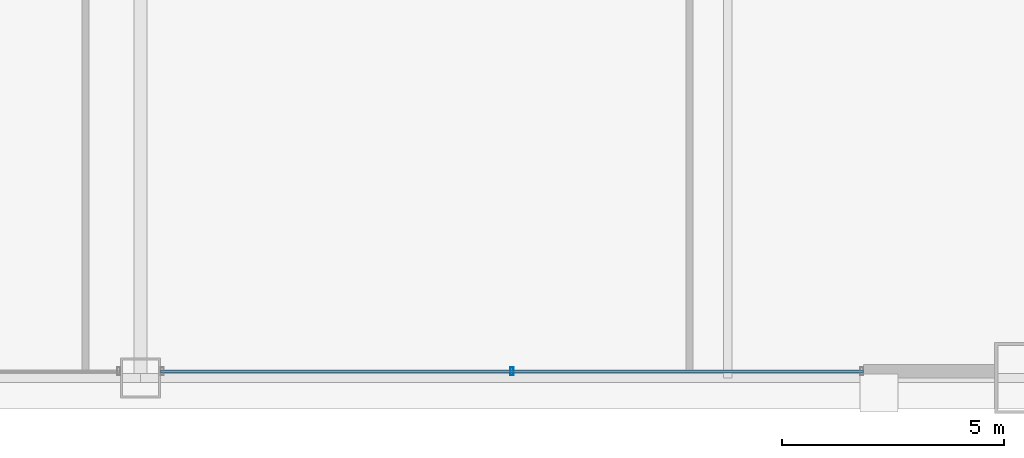
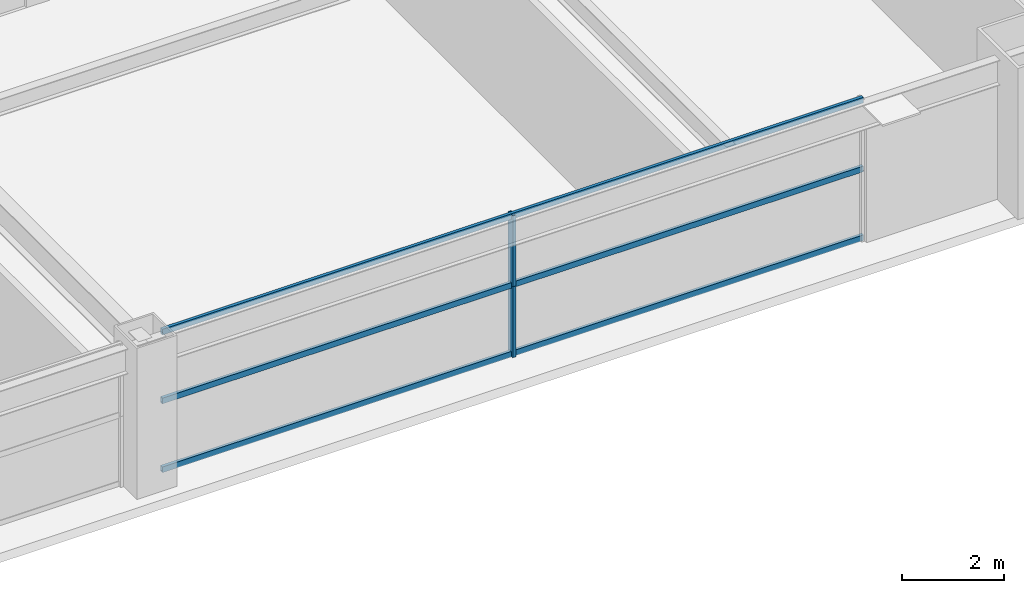
# One storey, part 13 of 38: 5 members, 1 element without a shape of its own.
"""IFC4 building model written with IfcOpenShell, lengths in metres."""

from ifc_helpers import new_model, si_unit, direction, frame, origin, origin_2d, place, context, subcontext, project, spatial, hollow_rectangle, extrude, source, transform, mapped, material, layer, layer_set, material_profile, profile_set, type_object, element, aggregate, save


model = new_model("IFC4")

# Units and contexts
model_context = context("Model", 3, precision=1e-05, world=origin(), true_north=direction((0.0, 1.0)))
body_context = subcontext(model_context, "Body", "Model", "MODEL_VIEW")
ifc_project = project(units=[si_unit("LENGTHUNIT", "METRE"), si_unit("AREAUNIT", "SQUARE_METRE"), si_unit("VOLUMEUNIT", "CUBIC_METRE"), si_unit("PLANEANGLEUNIT", "RADIAN"), si_unit("MASSUNIT", "GRAM", prefix="KILO"), si_unit("THERMODYNAMICTEMPERATUREUNIT", "KELVIN"), si_unit("POWERUNIT", "WATT")], contexts=[model_context])

# Site, building, storey
site_placement = place(None, origin())
site = spatial("IfcSite", under=ifc_project, at=site_placement, CompositionType="ELEMENT")
building_placement = place(site_placement, origin())
building = spatial("IfcBuilding", under=site, at=building_placement, Name="Yuzanri Waterfront Tower", CompositionType="ELEMENT")
storey_placement = place(building_placement, frame((0.0, 0.0, 111.800048828125)))
storey = spatial("IfcBuildingStorey", under=building, at=storey_placement, Name="L29", CompositionType="ELEMENT", Elevation=111.800048828125)

# Curtain wall, members
ifc_material_1 = material(Name="Anodized Architectural Bronze", Category="metal")
ifc_layer = layer(ifc_material_1, 0.159912109375)
ifc_layer_set = layer_set([ifc_layer], Name="Anodized Architectural Bronze")
curtain_wall_type = type_object("IfcCurtainWallType", Name="Anodized Bronze Hotel Upper-Tier Solar-Control Unitized Curtain Wall 7800", PredefinedType="NOTDEFINED", material=ifc_layer_set)
curtain_wall_placement = place(storey_placement, origin())
curtain_wall = element("IfcCurtainWall", 1, at=curtain_wall_placement, inside=storey, type_object=curtain_wall_type, Name="L29 Curtain Wall CW-L29-SR", PredefinedType="NOTDEFINED")
ifc_material_2 = material(Name="Anodized Architectural Bronze", Category="metal")
ifc_material_profile_1 = material_profile(ifc_material_2, hollow_rectangle(XDim=0.070068359375, YDim=0.179931640625, WallThickness=0.00390625, at=origin_2d()), Name="CWM 70x180")
ifc_profile_set_1 = profile_set([ifc_material_profile_1], Name="Anodized Architectural Bronze")
member_type_1 = type_object("IfcMemberType", Name="Anodized Bronze Standard Curtain-Wall Mullion 70x180", PredefinedType="MULLION", material=ifc_profile_set_1)
shared_shape_1 = source(origin(), body_context, "Body", "SweptSolid", [
    extrude(hollow_rectangle(XDim=0.070068359375, YDim=0.179931640625, WallThickness=0.00390625, at=origin_2d()), origin(), (0.0, 0.0, 1.0), 1.68798828125),
])
member_1_placement = place(storey_placement, frame((45.35009765625, 2.35009765625, 0.0), z_axis=(0.0, 0.0, 1.0), x_axis=(1.0, 0.0, 0.0)))
member_1 = element("IfcMember", 2, at=member_1_placement, type_object=member_type_1, Name="CW-L29-SR Lower Mullion 01", PredefinedType="MULLION", context=body_context, shape_type="MappedRepresentation", body=[
    mapped(shared_shape_1, transform((0.0, 0.0, 0.0), scale=1.0)),
])
member_2_placement = place(storey_placement, frame((45.35009765625, 2.35009765625, 1.69189453125), z_axis=(0.0, 0.0, 1.0), x_axis=(1.0, 0.0, 0.0)))
member_2 = element("IfcMember", 3, at=member_2_placement, type_object=member_type_1, Name="CW-L29-SR Upper Mullion 01", PredefinedType="MULLION", context=body_context, shape_type="MappedRepresentation", body=[
    mapped(shared_shape_1, transform((0.0, 0.0, 0.0), scale=1.0)),
])
ifc_material_3 = material(Name="Anodized Architectural Bronze", Category="metal")
ifc_material_profile_2 = material_profile(ifc_material_3, hollow_rectangle(XDim=0.070068359375, YDim=0.135009765625, WallThickness=0.00341796875, at=origin_2d()), Name="CWT 70x135")
ifc_profile_set_2 = profile_set([ifc_material_profile_2], Name="Anodized Architectural Bronze")
member_type_2 = type_object("IfcMemberType", Name="Anodized Bronze Standard Curtain-Wall Transom 70x135", PredefinedType="USERDEFINED", material=ifc_profile_set_2)
shared_shape_2 = source(origin(), body_context, "Body", "SweptSolid", [
    extrude(hollow_rectangle(XDim=0.070068359375, YDim=0.135009765625, WallThickness=0.00341796875, at=origin_2d()), origin(), (0.0, 0.0, 1.0), 15.800048828125),
])
member_3_placement = place(storey_placement, frame((37.449951171875, 2.35009765625, 0.050048828125), z_axis=(1.0, 0.0, 0.0), x_axis=(0.0, 1.0, 0.0)))
member_3 = element("IfcMember", 4, at=member_3_placement, type_object=member_type_2, Name="CW-L29-SR Transom 1", ObjectType="TRANSOM", PredefinedType="USERDEFINED", context=body_context, shape_type="MappedRepresentation", body=[
    mapped(shared_shape_2, transform((0.0, 0.0, 0.0), scale=1.0)),
])
member_4_placement = place(storey_placement, frame((37.449951171875, 2.35009765625, 1.68994140625), z_axis=(1.0, 0.0, 0.0), x_axis=(0.0, 1.0, 0.0)))
member_4 = element("IfcMember", 5, at=member_4_placement, type_object=member_type_2, Name="CW-L29-SR Transom 2", ObjectType="TRANSOM", PredefinedType="USERDEFINED", context=body_context, shape_type="MappedRepresentation", body=[
    mapped(shared_shape_2, transform((0.0, 0.0, 0.0), scale=1.0)),
])
member_5_placement = place(storey_placement, frame((37.449951171875, 2.35009765625, 3.329833984375), z_axis=(1.0, 0.0, 0.0), x_axis=(0.0, 1.0, 0.0)))
member_5 = element("IfcMember", 6, at=member_5_placement, type_object=member_type_2, Name="CW-L29-SR Transom 3", ObjectType="TRANSOM", PredefinedType="USERDEFINED", context=body_context, shape_type="MappedRepresentation", body=[
    mapped(shared_shape_2, transform((0.0, 0.0, 0.0), scale=1.0)),
])
aggregate(curtain_wall, [member_1, member_2, member_3, member_4, member_5])

save(model, "model.ifc")
